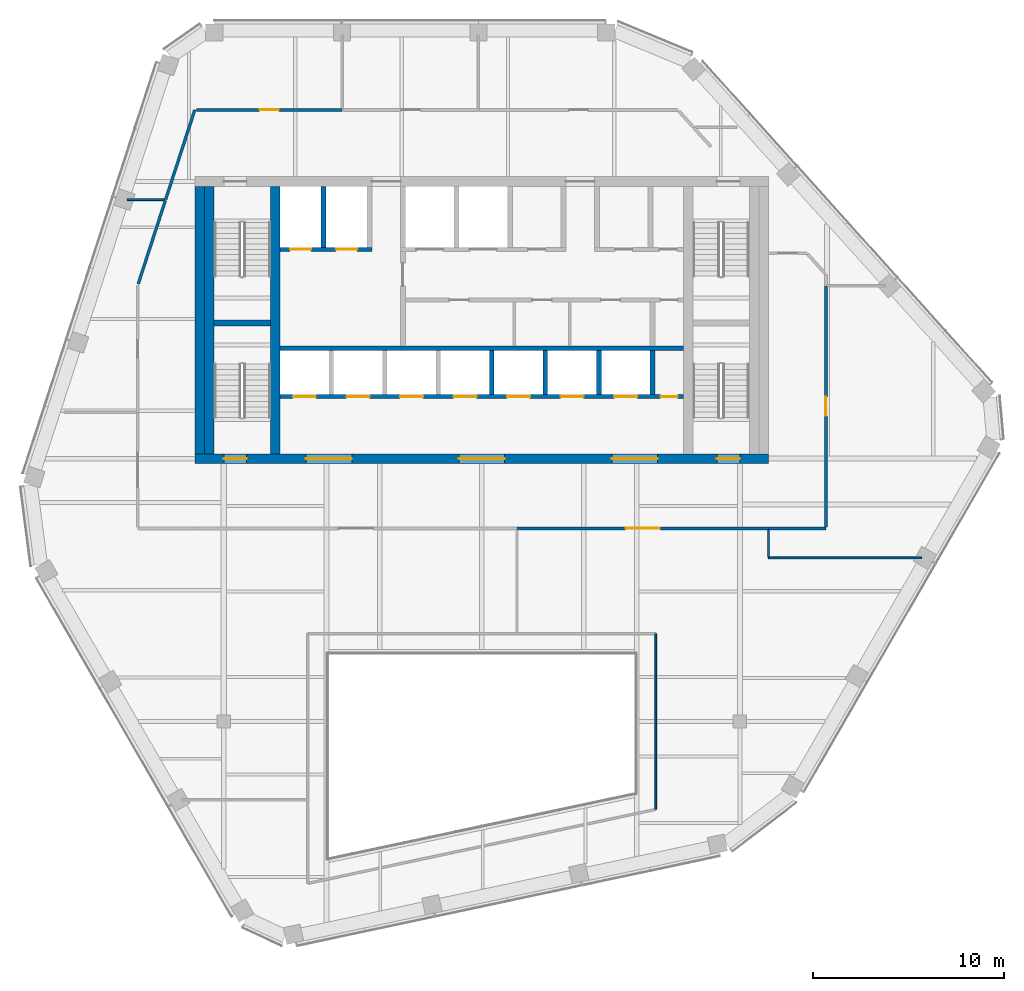
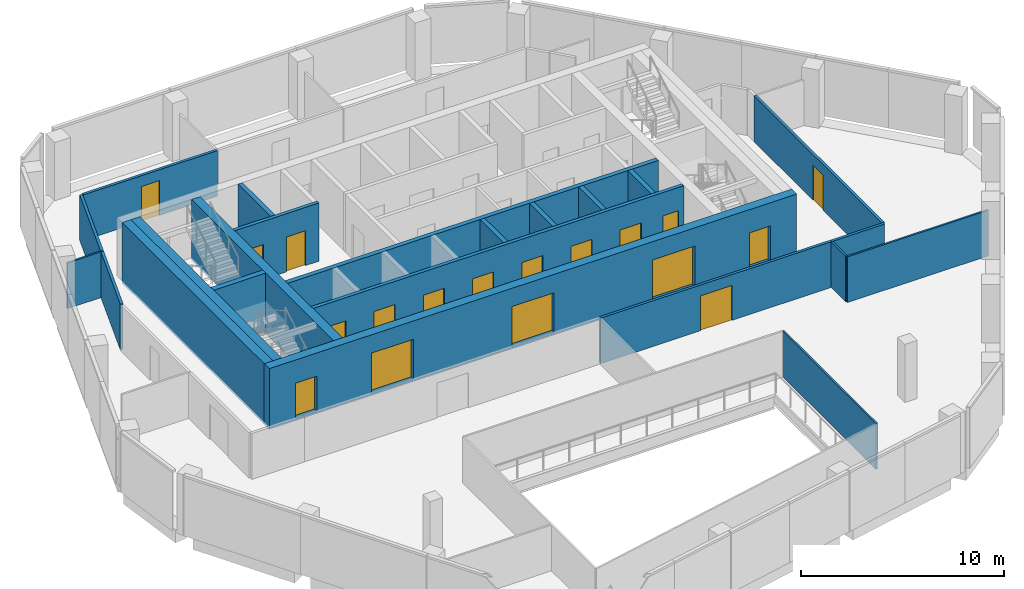
# One storey, part 8 of 15: 23 walls, 18 doors, 18 openings.
"""IFC4 building model written with IfcOpenShell, lengths in metres."""

import ifcopenshell
import ifcopenshell.guid

model = None  # the IFC model being written
_history = None  # IfcOwnerHistory: only IFC2X3 demands one
_inside = {}  # id of a spatial element -> (the spatial element, [elements in it])
_under = {}  # id of a project, library or spatial element -> (it, [spatial elements below it])
_declared = {}  # id of a project -> (the project, [libraries it declares])
_typed = {}  # id of a type object -> (the type object, [elements of that type])
_made_of = {}  # id of a material, layer set ... -> (it, [elements and type objects made of it])


def new_model(schema):
    """Start an empty IFC model of exactly this schema.

    Asked for "IFC4X3", IfcOpenShell would pick the latest addendum, in which some entities
    have other attributes; the version numbers below select the first issue.
    IFC2X3 requires an IfcOwnerHistory on every rooted entity: one is made here for all.
    """
    global model, _history
    if schema == "IFC4X3":
        model = ifcopenshell.file(schema_version=(4, 3, 0, 0))
    else:
        model = ifcopenshell.file(schema=schema)
    _inside.clear()
    _under.clear()
    _declared.clear()
    _typed.clear()
    _made_of.clear()
    _history = None
    if model.schema == "IFC2X3":
        org = make("IfcOrganization", Name="unknown")
        user = make(
            "IfcPersonAndOrganization",
            ThePerson=make("IfcPerson", FamilyName="unknown"),
            TheOrganization=org,
        )
        app = make(
            "IfcApplication",
            ApplicationDeveloper=org,
            Version="unknown",
            ApplicationFullName="unknown",
            ApplicationIdentifier="unknown",
        )
        _history = make(
            "IfcOwnerHistory",
            OwningUser=user,
            OwningApplication=app,
            ChangeAction="ADDED",
            CreationDate=0,
        )
    return model


def make(cls, **values):
    """One entity of the class cls with the attributes given. An attribute that is None is left unset."""
    return model.create_entity(
        cls, **{name: value for name, value in values.items() if value is not None}
    )


def rooted(cls, **values):
    """An entity with a GlobalId (a new one), such as an element, a storey or a relation."""
    return make(cls, GlobalId=ifcopenshell.guid.new(), OwnerHistory=_history, **values)


def si_unit(unit_type, name, prefix=None):
    """IfcSIUnit, for example si_unit("LENGTHUNIT", "METRE", prefix="MILLI")."""
    return make("IfcSIUnit", UnitType=unit_type, Prefix=prefix, Name=name)


def assignment(units):
    """IfcUnitAssignment: the units of a project."""
    return None if units is None else make("IfcUnitAssignment", Units=units)


def point(xyz):
    """IfcCartesianPoint."""
    return None if xyz is None else make("IfcCartesianPoint", Coordinates=xyz)


def direction(xyz):
    """IfcDirection."""
    return None if xyz is None else make("IfcDirection", DirectionRatios=xyz)


def frame(location, z_axis=None, x_axis=None):
    """IfcAxis2Placement3D, a coordinate frame: its origin and axes. An axis left out is left unset."""
    return make(
        "IfcAxis2Placement3D",
        Location=point(location),
        Axis=direction(z_axis),
        RefDirection=direction(x_axis),
    )


def frame_2d(location, x_axis=None):
    """IfcAxis2Placement2D, a coordinate frame in the plane: its origin and x axis."""
    return make(
        "IfcAxis2Placement2D", Location=point(location), RefDirection=direction(x_axis)
    )


def origin():
    """The frame at (0, 0, 0) with its axes left unset."""
    return frame((0.0, 0.0, 0.0))


def place(relative_to, where):
    """IfcLocalPlacement: puts the frame where relative to a parent placement (None: the world)."""
    return make(
        "IfcLocalPlacement", PlacementRelTo=relative_to, RelativePlacement=where
    )


def context(
    kind, dimensions, precision=None, world=None, true_north=None, identifier=None
):
    """IfcGeometricRepresentationContext, for example the 3D "Model" context."""
    return make(
        "IfcGeometricRepresentationContext",
        ContextIdentifier=identifier,
        ContextType=kind,
        CoordinateSpaceDimension=dimensions,
        Precision=precision,
        WorldCoordinateSystem=world,
        TrueNorth=true_north,
    )


def subcontext(parent, identifier, kind, view, scale=None):
    """IfcGeometricRepresentationSubContext, for example "Body" below "Model"."""
    return make(
        "IfcGeometricRepresentationSubContext",
        ContextIdentifier=identifier,
        ContextType=kind,
        ParentContext=parent,
        TargetScale=scale,
        TargetView=view,
    )


def project(units=None, contexts=None):
    """IfcProject with its units and contexts."""
    return rooted(
        "IfcProject",
        Name="project",
        RepresentationContexts=contexts,
        UnitsInContext=assignment(units),
    )


def spatial(cls, under=None, at=None, **own):
    """A site, building, storey or space (cls), placed at a placement, below another one or the project."""
    s = rooted(cls, ObjectPlacement=at, **own)
    if under is not None:
        _under.setdefault(under.id(), (under, []))[1].append(s)
    return s


def profile(cls, at=None, kind="AREA", **sizes):
    """A parametric profile (cls). Its sizes go by their IFC names, for example OverallWidth=200.0."""
    return make(cls, ProfileType=kind, Position=at, **sizes)


def rectangle(**sizes):
    """IfcRectangleProfileDef."""
    return profile("IfcRectangleProfileDef", **sizes)


def extrude(swept, where, along, depth):
    """IfcExtrudedAreaSolid: the profile swept, set in the frame where, extruded along a direction by depth."""
    return make(
        "IfcExtrudedAreaSolid",
        SweptArea=swept,
        Position=where,
        ExtrudedDirection=direction(along),
        Depth=depth,
    )


def shape(context_of_items, identifier, shape_type, items):
    """IfcShapeRepresentation: the items that make up one representation, for example the "Body"."""
    return make(
        "IfcShapeRepresentation",
        ContextOfItems=context_of_items,
        RepresentationIdentifier=identifier,
        RepresentationType=shape_type,
        Items=items,
    )


def material(Name=None, Category=None):
    """IfcMaterial."""
    return make("IfcMaterial", Name=Name, Category=Category)


def layer(
    of_material, thickness, ventilated=None, Name=None, Category=None, Priority=None
):
    """IfcMaterialLayer: one layer of a wall or slab, of a material (None: an air gap)."""
    return make(
        "IfcMaterialLayer",
        Material=of_material,
        LayerThickness=thickness,
        IsVentilated=ventilated,
        Name=Name,
        Category=Category,
        Priority=Priority,
    )


def layer_set(layers, Name=None):
    """IfcMaterialLayerSet."""
    return make("IfcMaterialLayerSet", MaterialLayers=layers, LayerSetName=Name)


def made_of(thing, what):
    """Note that an element or type object is made of a material, layer set ...; save() writes the relation."""
    if what is not None:
        _made_of.setdefault(what.id(), (what, []))[1].append(thing)
    return thing


def type_object(cls, material=None, **own):
    """A type object (cls), such as IfcWallType, which elements share."""
    return made_of(rooted(cls, **own), material)


def element(
    cls,
    number,
    at=None,
    inside=None,
    cuts=None,
    type_object=None,
    material=None,
    context=None,
    identifier="Body",
    shape_type=None,
    held_by="IfcProductDefinitionShape",
    body=None,
    shapes=None,
    **own,
):
    """One element of the class cls, such as IfcWall. Its Tag is "e" and its number.

    at: its placement. inside: the storey or other place that contains it. cuts: it is an
    opening in that element (IfcRelVoidsElement). A single representation is given by context,
    identifier, shape_type and body (its items); several are given by shapes. held_by: the class
    of the entity that holds the representations. save() writes the other relations.
    """
    e = rooted(cls, Tag="e%d" % number, ObjectPlacement=at, **own)
    if body is not None:
        shapes = [shape(context, identifier, shape_type, body)]
    if shapes is not None:
        e.Representation = make(held_by, Representations=shapes)
    if inside is not None:
        _inside.setdefault(inside.id(), (inside, []))[1].append(e)
    if cuts is not None:
        rooted(
            "IfcRelVoidsElement", RelatingBuildingElement=cuts, RelatedOpeningElement=e
        )
    if type_object is not None:
        _typed.setdefault(type_object.id(), (type_object, []))[1].append(e)
    return made_of(e, material)


def fill(opening, filler):
    """IfcRelFillsElement: the door or window that sits in an opening."""
    return rooted(
        "IfcRelFillsElement",
        RelatingOpeningElement=opening,
        RelatedBuildingElement=filler,
    )


def aggregate(whole, parts):
    """IfcRelAggregates: a whole, such as a stair, and the parts it consists of."""
    return rooted("IfcRelAggregates", RelatingObject=whole, RelatedObjects=parts)


def save(model, path):
    """Write the relations noted so far, then the file.

    IfcRelAggregates (storeys below a building ...), IfcRelContainedInSpatialStructure (elements
    in a storey), IfcRelDefinesByType, IfcRelAssociatesMaterial and IfcRelDeclares: one each for
    every whole, place, type object, material and project.
    """
    for whole, parts in _under.values():
        aggregate(whole, parts)
    for where, things in _inside.values():
        rooted(
            "IfcRelContainedInSpatialStructure",
            RelatedElements=things,
            RelatingStructure=where,
        )
    for kind, things in _typed.values():
        rooted("IfcRelDefinesByType", RelatedObjects=things, RelatingType=kind)
    for what, things in _made_of.values():
        rooted("IfcRelAssociatesMaterial", RelatedObjects=things, RelatingMaterial=what)
    for by, libraries in _declared.values():
        rooted("IfcRelDeclares", RelatingContext=by, RelatedDefinitions=libraries)
    model.write(path)


model = new_model("IFC4")

# Units and contexts
model_context = context("Model", 3, precision=1e-05, world=origin(), true_north=direction((0.0, 1.0)))
body_context = subcontext(model_context, "Body", "Model", "MODEL_VIEW")
ifc_project = project(units=[si_unit("LENGTHUNIT", "METRE"), si_unit("AREAUNIT", "SQUARE_METRE"), si_unit("VOLUMEUNIT", "CUBIC_METRE"), si_unit("PLANEANGLEUNIT", "RADIAN"), si_unit("MASSUNIT", "GRAM", prefix="KILO")], contexts=[model_context])

# Site, building, storey
site_placement = place(None, origin())
site = spatial("IfcSite", under=ifc_project, at=site_placement, CompositionType="ELEMENT")
building_placement = place(site_placement, origin())
building = spatial("IfcBuilding", under=site, at=building_placement, Name="Isthmus Gate Tower", CompositionType="ELEMENT")
storey_placement = place(building_placement, frame((0.0, 0.0, 286.5)))
storey = spatial("IfcBuildingStorey", under=building, at=storey_placement, Name="L73", CompositionType="ELEMENT", Elevation=286.5)

# Wall
ifc_material_1 = material(Name="Fire-rated laminated glass in steel frame", Category="steel")
ifc_layer_1 = layer(ifc_material_1, 0.10009765625)
ifc_layer_set_1 = layer_set([ifc_layer_1], Name="ATRIUM SCREEN GLAZED WALL 100 120 MIN")
wall_type_1 = type_object("IfcWallType", Name="ATRIUM SCREEN GLAZED WALL 100 120 MIN", PredefinedType="PARTITIONING", material=ifc_layer_set_1)
wall_1_placement = place(storey_placement, frame((9.10009765625, -8.89990234375, 0.0), z_axis=(0.0, 0.0, 1.0), x_axis=(0.0, -1.0, 0.0)))
element("IfcWall", 1, at=wall_1_placement, inside=storey, type_object=wall_type_1, Name="L73 atrium screen", PredefinedType="PARTITIONING", context=body_context, shape_type="SweptSolid", body=[
    extrude(rectangle(XDim=9.200927734375, YDim=0.10009765625, at=frame_2d((4.6005859375, 0.0))), origin(), (0.0, 0.0, 1.0), 2.750732421875),
])

# Wall, opening, door
ifc_material_2 = material(Name="Gypsum board on steel studs, fire-rated", Category="steel")
ifc_layer_2 = layer(ifc_material_2, 0.14990234375)
ifc_layer_set_2 = layer_set([ifc_layer_2], Name="CORRIDOR WALL 150 60 MIN")
wall_type_2 = type_object("IfcWallType", Name="CORRIDOR WALL 150 60 MIN", PredefinedType="PARTITIONING", material=ifc_layer_set_2)
wall_2_placement = place(storey_placement, frame((15.0, -3.39990234375, 0.0), z_axis=(0.0, 0.0, 1.0), x_axis=(-1.0, 0.0, 0.0)))
wall_2 = element("IfcWall", 2, at=wall_2_placement, inside=storey, type_object=wall_type_2, Name="L73 Corridor Wall 150 60 Min", PredefinedType="PARTITIONING", context=body_context, shape_type="SweptSolid", body=[
    extrude(rectangle(XDim=13.156005859375, YDim=0.14990234375, at=frame_2d((6.578125, 0.0))), origin(), (0.0, 0.0, 1.0), 2.750732421875),
])
opening_1_placement = place(wall_2_placement, frame((5.677978515625, 0.0, 0.0)))
opening_1 = element("IfcOpeningElement", 3, at=opening_1_placement, cuts=wall_2, Name="Opening DT-T6C-09", PredefinedType="OPENING", context=body_context, shape_type="SweptSolid", body=[
    extrude(rectangle(XDim=1.800048828125, YDim=2.10009765625, at=frame_2d((0.89990234375, 1.050048828125))), frame((0.0, 0.0849609375, 0.0), z_axis=(0.0, -1.0, 0.0), x_axis=(1.0, 0.0, 0.0)), (0.0, 0.0, 1.0), 0.169921875),
])
ifc_material_3 = material(Name="Solid core timber door leaf, fire-rated", Category="wood")
door_type_1 = type_object("IfcDoorType", Name="FIRE DOOR ROOM 1800 X 2100 60 MIN", OperationType="DOUBLE_DOOR_DOUBLE_SWING", PredefinedType="DOOR", material=ifc_material_3)
door_1_placement = place(opening_1_placement, origin())
door_1 = element("IfcDoor", 4, at=door_1_placement, inside=storey, type_object=door_type_1, Name="L73 room door", OperationType="DOUBLE_DOOR_DOUBLE_SWING", OverallHeight=2.10009765625, OverallWidth=1.800048828125, PredefinedType="DOOR", context=body_context, shape_type="SweptSolid", body=[
    extrude(rectangle(XDim=1.800048828125, YDim=2.10009765625, at=frame_2d((0.89990234375, 1.050048828125))), frame((0.0, 0.02490234375, 0.0), z_axis=(0.0, -1.0, 0.0), x_axis=(1.0, 0.0, 0.0)), (0.0, 0.0, 1.0), 0.050048828125),
])
fill(opening_1, door_1)

# Wall
wall_3_placement = place(storey_placement, frame((18.0, -3.39990234375, 0.0), z_axis=(0.0, 0.0, 1.0), x_axis=(-1.0, 0.0, 0.0)))
element("IfcWall", 5, at=wall_3_placement, inside=storey, type_object=wall_type_2, Name="L73 Corridor Wall 150 60 Min", PredefinedType="PARTITIONING", context=body_context, shape_type="SweptSolid", body=[
    extrude(rectangle(XDim=3.0, YDim=0.14990234375, at=frame_2d((1.5, 0.0))), origin(), (0.0, 0.0, 1.0), 2.750732421875),
])

# Wall, opening, door
wall_4_placement = place(storey_placement, frame((18.0, 9.2900390625, 0.0), z_axis=(0.0, 0.0, 1.0), x_axis=(0.0, -1.0, 0.0)))
wall_4 = element("IfcWall", 6, at=wall_4_placement, inside=storey, type_object=wall_type_2, Name="L73 Corridor Wall 150 60 Min", PredefinedType="PARTITIONING", context=body_context, shape_type="SweptSolid", body=[
    extrude(rectangle(XDim=12.614990234375, YDim=0.14990234375, at=frame_2d((6.3076171875, 0.0))), origin(), (0.0, 0.0, 1.0), 2.750732421875),
])
opening_2_placement = place(wall_4_placement, frame((5.8076171875, 0.0, 0.0)))
opening_2 = element("IfcOpeningElement", 7, at=opening_2_placement, cuts=wall_4, Name="Opening DT-T6C-06", PredefinedType="OPENING", context=body_context, shape_type="SweptSolid", body=[
    extrude(rectangle(XDim=1.0, YDim=2.10009765625, at=frame_2d((0.5, 1.050048828125))), frame((0.0, 0.0849609375, 0.0), z_axis=(0.0, -1.0, 0.0), x_axis=(1.0, 0.0, 0.0)), (0.0, 0.0, 1.0), 0.169921875),
])
ifc_material_4 = material(Name="Solid core timber door leaf, fire-rated", Category="wood")
door_type_2 = type_object("IfcDoorType", Name="FIRE DOOR ROOM 1000 X 2100 60 MIN", OperationType="SINGLE_SWING_LEFT", PredefinedType="DOOR", material=ifc_material_4)
door_2_placement = place(opening_2_placement, origin())
door_2 = element("IfcDoor", 8, at=door_2_placement, inside=storey, type_object=door_type_2, Name="L73 room door", OperationType="SINGLE_SWING_RIGHT", OverallHeight=2.10009765625, OverallWidth=1.0, PredefinedType="DOOR", context=body_context, shape_type="SweptSolid", body=[
    extrude(rectangle(XDim=1.0, YDim=2.10009765625, at=frame_2d((0.5, 1.050048828125))), frame((0.0, 0.02490234375, 0.0), z_axis=(0.0, -1.0, 0.0), x_axis=(1.0, 0.0, 0.0)), (0.0, 0.0, 1.0), 0.050048828125),
])
fill(opening_2, door_2)

# Wall
wall_5_placement = place(storey_placement, frame((-16.541015625, 13.803955078125, 0.0), z_axis=(0.0, 0.0, 1.0), x_axis=(0.309069302416, 0.951039518792, 0.0)))
element("IfcWall", 9, at=wall_5_placement, inside=storey, type_object=wall_type_2, Name="L73 Corridor Wall 150 60 Min", PredefinedType="PARTITIONING", context=body_context, shape_type="SweptSolid", body=[
    extrude(rectangle(XDim=4.937744140625, YDim=0.14990234375, at=frame_2d((2.46875, 0.0))), origin(), (0.0, 0.0, 1.0), 2.750732421875),
])

# Wall, opening, door
wall_6_placement = place(storey_placement, frame((-14.925048828125, 18.5, 0.0), z_axis=(0.0, 0.0, 1.0), x_axis=(1.0, 0.0, 0.0)))
wall_6 = element("IfcWall", 10, at=wall_6_placement, inside=storey, type_object=wall_type_2, Name="L73 Corridor Wall 150 60 Min", PredefinedType="PARTITIONING", context=body_context, shape_type="SweptSolid", body=[
    extrude(rectangle(XDim=7.614990234375, YDim=0.14990234375, at=frame_2d((3.8076171875, 0.0))), origin(), (0.0, 0.0, 1.0), 2.750732421875),
])
opening_3_placement = place(wall_6_placement, frame((3.3076171875, 0.0, 0.0)))
opening_3 = element("IfcOpeningElement", 11, at=opening_3_placement, cuts=wall_6, Name="Opening DT-T6C-01", PredefinedType="OPENING", context=body_context, shape_type="SweptSolid", body=[
    extrude(rectangle(XDim=1.0, YDim=2.10009765625, at=frame_2d((0.5, 1.050048828125))), frame((0.0, 0.0849609375, 0.0), z_axis=(0.0, -1.0, 0.0), x_axis=(1.0, 0.0, 0.0)), (0.0, 0.0, 1.0), 0.169921875),
])
door_3_placement = place(opening_3_placement, origin())
door_3 = element("IfcDoor", 12, at=door_3_placement, inside=storey, type_object=door_type_2, Name="L73 room door", OperationType="SINGLE_SWING_RIGHT", OverallHeight=2.10009765625, OverallWidth=1.0, PredefinedType="DOOR", context=body_context, shape_type="SweptSolid", body=[
    extrude(rectangle(XDim=1.0, YDim=2.10009765625, at=frame_2d((0.5, 1.050048828125))), frame((0.0, 0.02490234375, 0.0), z_axis=(0.0, -1.0, 0.0), x_axis=(1.0, 0.0, 0.0)), (0.0, 0.0, 1.0), 0.050048828125),
])
fill(opening_3, door_3)

# Walls
wall_7_placement = place(storey_placement, frame((-17.976806640625, 9.38623046875, 0.0), z_axis=(0.0, 0.0, 1.0), x_axis=(0.309110099354, 0.951026259615, 0.0)))
element("IfcWall", 13, at=wall_7_placement, inside=storey, type_object=wall_type_2, Name="L73 Corridor Wall 150 60 Min", PredefinedType="PARTITIONING", context=body_context, shape_type="SweptSolid", body=[
    extrude(rectangle(XDim=4.59521484375, YDim=0.14990234375, at=frame_2d((2.297607421875, 0.0))), origin(), (0.0, 0.0, 1.0), 2.750732421875),
])
ifc_material_5 = material(Name="Concrete f'c 50 MPa", Category="concrete")
ifc_layer_3 = layer(ifc_material_5, 0.5)
ifc_layer_set_3 = layer_set([ifc_layer_3], Name="RC CORE SPINE WALL 500 F'C 50")
wall_type_3 = type_object("IfcWallType", Name="RC CORE SPINE WALL 500 F'C 50", PredefinedType="SOLIDWALL", material=ifc_layer_set_3)
wall_8_placement = place(storey_placement, frame((-10.800048828125, 0.5, -0.14990234375), z_axis=(0.0, 0.0, 1.0), x_axis=(0.0, 1.0, 0.0)))
element("IfcWall", 14, at=wall_8_placement, inside=storey, type_object=wall_type_3, Name="str-corewall-L73-SPW", PredefinedType="SOLIDWALL", context=body_context, shape_type="SweptSolid", body=[
    extrude(rectangle(XDim=14.0, YDim=0.5, at=frame_2d((7.0, 0.0))), origin(), (0.0, 0.0, 1.0), 3.64990234375),
])

# Wall, openings, doors
ifc_material_6 = material(Name="Concrete f'c 50 MPa", Category="concrete")
ifc_layer_4 = layer(ifc_material_6, 0.5)
ifc_layer_set_4 = layer_set([ifc_layer_4], Name="RC CORE WALL 500 F'C 50")
wall_type_4 = type_object("IfcWallType", Name="RC CORE WALL 500 F'C 50", PredefinedType="SOLIDWALL", material=ifc_layer_set_4)
wall_9_placement = place(storey_placement, frame((-15.0, 0.25, -0.14990234375), z_axis=(0.0, 0.0, 1.0), x_axis=(1.0, 0.0, 0.0)))
wall_9 = element("IfcWall", 15, at=wall_9_placement, inside=storey, type_object=wall_type_4, Name="str-corewall-L73-S", PredefinedType="SOLIDWALL", context=body_context, shape_type="SweptSolid", body=[
    extrude(rectangle(XDim=30.0, YDim=0.5, at=frame_2d((15.0, 0.0))), origin(), (0.0, 0.0, 1.0), 3.64990234375),
])
opening_4_placement = place(wall_9_placement, frame((5.800048828125, 0.0, 0.14990234375)))
opening_4 = element("IfcOpeningElement", 16, at=opening_4_placement, cuts=wall_9, Name="Opening DC-A19-10", PredefinedType="OPENING", context=body_context, shape_type="SweptSolid", body=[
    extrude(rectangle(XDim=2.39990234375, YDim=2.39990234375, at=frame_2d((1.199951171875, 1.199951171875))), frame((0.0, 0.260009765625, 0.0), z_axis=(0.0, -1.0, 0.0), x_axis=(1.0, 0.0, 0.0)), (0.0, 0.0, 1.0), 0.52001953125),
])
opening_5_placement = place(wall_9_placement, frame((13.800048828125, 0.0, 0.14990234375)))
opening_5 = element("IfcOpeningElement", 17, at=opening_5_placement, cuts=wall_9, Name="Opening DC-A19-11", PredefinedType="OPENING", context=body_context, shape_type="SweptSolid", body=[
    extrude(rectangle(XDim=2.39990234375, YDim=2.39990234375, at=frame_2d((1.199951171875, 1.199951171875))), frame((0.0, 0.260009765625, 0.0), z_axis=(0.0, -1.0, 0.0), x_axis=(1.0, 0.0, 0.0)), (0.0, 0.0, 1.0), 0.52001953125),
])
opening_6_placement = place(wall_9_placement, frame((21.800048828125, 0.0, 0.14990234375)))
opening_6 = element("IfcOpeningElement", 18, at=opening_6_placement, cuts=wall_9, Name="Opening DC-A19-12", PredefinedType="OPENING", context=body_context, shape_type="SweptSolid", body=[
    extrude(rectangle(XDim=2.39990234375, YDim=2.39990234375, at=frame_2d((1.199951171875, 1.199951171875))), frame((0.0, 0.260009765625, 0.0), z_axis=(0.0, -1.0, 0.0), x_axis=(1.0, 0.0, 0.0)), (0.0, 0.0, 1.0), 0.52001953125),
])
opening_7_placement = place(wall_9_placement, frame((1.5, 0.0, 0.14990234375)))
opening_7 = element("IfcOpeningElement", 19, at=opening_7_placement, cuts=wall_9, Name="Opening DC-A19-17", PredefinedType="OPENING", context=body_context, shape_type="SweptSolid", body=[
    extrude(rectangle(XDim=1.199951171875, YDim=2.10009765625, at=frame_2d((0.60009765625, 1.050048828125))), frame((0.0, 0.260009765625, 0.0), z_axis=(0.0, -1.0, 0.0), x_axis=(1.0, 0.0, 0.0)), (0.0, 0.0, 1.0), 0.52001953125),
])
opening_8_placement = place(wall_9_placement, frame((27.300048828125, 0.0, 0.14990234375)))
opening_8 = element("IfcOpeningElement", 20, at=opening_8_placement, cuts=wall_9, Name="Opening DC-A19-18", PredefinedType="OPENING", context=body_context, shape_type="SweptSolid", body=[
    extrude(rectangle(XDim=1.199951171875, YDim=2.10009765625, at=frame_2d((0.60009765625, 1.050048828125))), frame((0.0, 0.260009765625, 0.0), z_axis=(0.0, -1.0, 0.0), x_axis=(1.0, 0.0, 0.0)), (0.0, 0.0, 1.0), 0.52001953125),
])
ifc_material_7 = material(Name="Laminated safety glass in steel frame, fire-rated", Category="steel")
door_type_3 = type_object("IfcDoorType", Name="LOBBY ENTRANCE FIRE DOOR 2400 X 2400 60 MIN", OperationType="DOUBLE_DOOR_DOUBLE_SWING", PredefinedType="DOOR", material=ifc_material_7)
door_4_placement = place(opening_4_placement, origin())
door_4 = element("IfcDoor", 21, at=door_4_placement, inside=storey, type_object=door_type_3, Name="Lobby Entrance PS-W", OperationType="DOUBLE_DOOR_DOUBLE_SWING", OverallHeight=2.39990234375, OverallWidth=2.39990234375, PredefinedType="DOOR", context=body_context, shape_type="SweptSolid", body=[
    extrude(rectangle(XDim=2.39990234375, YDim=2.39990234375, at=frame_2d((1.199951171875, 1.199951171875))), frame((0.0, 0.02490234375, 0.0), z_axis=(0.0, -1.0, 0.0), x_axis=(1.0, 0.0, 0.0)), (0.0, 0.0, 1.0), 0.050048828125),
])
fill(opening_4, door_4)
door_5_placement = place(opening_5_placement, origin())
door_5 = element("IfcDoor", 22, at=door_5_placement, inside=storey, type_object=door_type_3, Name="Lobby Entrance PS-C", OperationType="DOUBLE_DOOR_DOUBLE_SWING", OverallHeight=2.39990234375, OverallWidth=2.39990234375, PredefinedType="DOOR", context=body_context, shape_type="SweptSolid", body=[
    extrude(rectangle(XDim=2.39990234375, YDim=2.39990234375, at=frame_2d((1.199951171875, 1.199951171875))), frame((0.0, 0.02490234375, 0.0), z_axis=(0.0, -1.0, 0.0), x_axis=(1.0, 0.0, 0.0)), (0.0, 0.0, 1.0), 0.050048828125),
])
fill(opening_5, door_5)
door_6_placement = place(opening_6_placement, origin())
door_6 = element("IfcDoor", 23, at=door_6_placement, inside=storey, type_object=door_type_3, Name="Lobby Entrance PS-E", OperationType="DOUBLE_DOOR_DOUBLE_SWING", OverallHeight=2.39990234375, OverallWidth=2.39990234375, PredefinedType="DOOR", context=body_context, shape_type="SweptSolid", body=[
    extrude(rectangle(XDim=2.39990234375, YDim=2.39990234375, at=frame_2d((1.199951171875, 1.199951171875))), frame((0.0, 0.02490234375, 0.0), z_axis=(0.0, -1.0, 0.0), x_axis=(1.0, 0.0, 0.0)), (0.0, 0.0, 1.0), 0.050048828125),
])
fill(opening_6, door_6)
ifc_material_8 = material(Name="Steel door leaf, fire-rated", Category="steel")
door_type_4 = type_object("IfcDoorType", Name="STAIR FIRE DOOR 1200 X 2100 90 MIN", OperationType="SINGLE_SWING_LEFT", PredefinedType="DOOR", material=ifc_material_8)
door_7_placement = place(opening_7_placement, origin())
door_7 = element("IfcDoor", 24, at=door_7_placement, inside=storey, type_object=door_type_4, Name="Exit Stair 7 Door", OperationType="SINGLE_SWING_LEFT", OverallHeight=2.10009765625, OverallWidth=1.199951171875, PredefinedType="DOOR", context=body_context, shape_type="SweptSolid", body=[
    extrude(rectangle(XDim=1.199951171875, YDim=2.10009765625, at=frame_2d((0.60009765625, 1.050048828125))), frame((0.0, 0.02490234375, 0.0), z_axis=(0.0, -1.0, 0.0), x_axis=(1.0, 0.0, 0.0)), (0.0, 0.0, 1.0), 0.050048828125),
])
fill(opening_7, door_7)
door_8_placement = place(opening_8_placement, origin())
door_8 = element("IfcDoor", 25, at=door_8_placement, inside=storey, type_object=door_type_4, Name="Exit Stair 8 Door", OperationType="SINGLE_SWING_RIGHT", OverallHeight=2.10009765625, OverallWidth=1.199951171875, PredefinedType="DOOR", context=body_context, shape_type="SweptSolid", body=[
    extrude(rectangle(XDim=1.199951171875, YDim=2.10009765625, at=frame_2d((0.60009765625, 1.050048828125))), frame((0.0, 0.02490234375, 0.0), z_axis=(0.0, -1.0, 0.0), x_axis=(1.0, 0.0, 0.0)), (0.0, 0.0, 1.0), 0.050048828125),
])
fill(opening_8, door_8)

# Walls
wall_10_placement = place(storey_placement, frame((-14.75, 0.5, -0.14990234375), z_axis=(0.0, 0.0, 1.0), x_axis=(0.0, 1.0, 0.0)))
element("IfcWall", 26, at=wall_10_placement, inside=storey, type_object=wall_type_4, Name="str-corewall-L73-W", PredefinedType="SOLIDWALL", context=body_context, shape_type="SweptSolid", body=[
    extrude(rectangle(XDim=14.0, YDim=0.5, at=frame_2d((7.0, 0.0))), origin(), (0.0, 0.0, 1.0), 3.64990234375),
])
ifc_material_9 = material(Name="Gypsum board on steel studs, fire-rated", Category="steel")
ifc_layer_5 = layer(ifc_material_9, 0.10009765625)
ifc_layer_set_5 = layer_set([ifc_layer_5], Name="ROOM PARTITION 100 30 MIN")
wall_type_5 = type_object("IfcWallType", Name="ROOM PARTITION 100 30 MIN", PredefinedType="PARTITIONING", material=ifc_layer_set_5)
wall_11_placement = place(storey_placement, frame((-18.5390625, 13.803955078125, 0.0), z_axis=(0.0, 0.0, 1.0), x_axis=(1.0, 0.0, 0.0)))
element("IfcWall", 27, at=wall_11_placement, inside=storey, type_object=wall_type_5, Name="L73 Room Partition 100 30 Min", PredefinedType="PARTITIONING", context=body_context, shape_type="SweptSolid", body=[
    extrude(rectangle(XDim=1.923095703125, YDim=0.10009765625, at=frame_2d((0.96142578125, 0.0))), origin(), (0.0, 0.0, 1.0), 2.750732421875),
])
wall_12_placement = place(storey_placement, frame((15.0, -4.945068359375, 0.0), z_axis=(0.0, 0.0, 1.0), x_axis=(1.0, 0.0, 0.0)))
element("IfcWall", 28, at=wall_12_placement, inside=storey, type_object=wall_type_5, Name="L73 Room Partition 100 30 Min", PredefinedType="PARTITIONING", context=body_context, shape_type="SweptSolid", body=[
    extrude(rectangle(XDim=8.010009765625, YDim=0.10009765625, at=frame_2d((4.0048828125, 0.0))), origin(), (0.0, 0.0, 1.0), 2.750732421875),
])
wall_13_placement = place(storey_placement, frame((15.0, -4.89501953125, 0.0), z_axis=(0.0, 0.0, 1.0), x_axis=(0.0, 1.0, 0.0)))
element("IfcWall", 29, at=wall_13_placement, inside=storey, type_object=wall_type_5, Name="L73 Room Partition 100 30 Min", PredefinedType="PARTITIONING", context=body_context, shape_type="SweptSolid", body=[
    extrude(rectangle(XDim=1.419921875, YDim=0.10009765625, at=frame_2d((0.7099609375, 0.0))), origin(), (0.0, 0.0, 1.0), 2.750732421875),
])

# Wall, openings, doors
ifc_material_10 = material(Name="Fire-rated blockwork masonry, 15 MPa", Category="masonry")
ifc_layer_6 = layer(ifc_material_10, 0.199951171875)
ifc_layer_set_6 = layer_set([ifc_layer_6], Name="SHAFT FRONT WALL 200 120 MIN")
wall_type_6 = type_object("IfcWallType", Name="SHAFT FRONT WALL 200 120 MIN", PredefinedType="PARTITIONING", material=ifc_layer_set_6)
wall_14_placement = place(storey_placement, frame((-10.550048828125, 3.5, 0.0), z_axis=(0.0, 0.0, 1.0), x_axis=(1.0, 0.0, 0.0)))
wall_14 = element("IfcWall", 30, at=wall_14_placement, inside=storey, type_object=wall_type_6, Name="L73 SHAFT FRONT WALL 200 120 MIN", PredefinedType="PARTITIONING", context=body_context, shape_type="SweptSolid", body=[
    extrude(rectangle(XDim=21.10009765625, YDim=0.199951171875, at=frame_2d((10.550048828125, 0.0))), origin(), (0.0, 0.0, 1.0), 3.5),
])
opening_9_placement = place(wall_14_placement, frame((0.675048828125, 0.0, 0.0)))
opening_9 = element("IfcOpeningElement", 31, at=opening_9_placement, cuts=wall_14, Name="Opening LD-LC1", PredefinedType="OPENING", context=body_context, shape_type="SweptSolid", body=[
    extrude(rectangle(XDim=1.199951171875, YDim=2.10009765625, at=frame_2d((0.60009765625, 1.050048828125))), frame((0.0, 0.10986328125, 0.0), z_axis=(0.0, -1.0, 0.0), x_axis=(1.0, 0.0, 0.0)), (0.0, 0.0, 1.0), 0.219970703125),
])
opening_10_placement = place(wall_14_placement, frame((3.47509765625, 0.0, 0.0)))
opening_10 = element("IfcOpeningElement", 32, at=opening_10_placement, cuts=wall_14, Name="Opening LD-LC2", PredefinedType="OPENING", context=body_context, shape_type="SweptSolid", body=[
    extrude(rectangle(XDim=1.199951171875, YDim=2.10009765625, at=frame_2d((0.60009765625, 1.050048828125))), frame((0.0, 0.10986328125, 0.0), z_axis=(0.0, -1.0, 0.0), x_axis=(1.0, 0.0, 0.0)), (0.0, 0.0, 1.0), 0.219970703125),
])
opening_11_placement = place(wall_14_placement, frame((6.27490234375, 0.0, 0.0)))
opening_11 = element("IfcOpeningElement", 33, at=opening_11_placement, cuts=wall_14, Name="Opening LD-LC3", PredefinedType="OPENING", context=body_context, shape_type="SweptSolid", body=[
    extrude(rectangle(XDim=1.199951171875, YDim=2.10009765625, at=frame_2d((0.60009765625, 1.050048828125))), frame((0.0, 0.10986328125, 0.0), z_axis=(0.0, -1.0, 0.0), x_axis=(1.0, 0.0, 0.0)), (0.0, 0.0, 1.0), 0.219970703125),
])
opening_12_placement = place(wall_14_placement, frame((9.074951171875, 0.0, 0.0)))
opening_12 = element("IfcOpeningElement", 34, at=opening_12_placement, cuts=wall_14, Name="Opening LD-LC4", PredefinedType="OPENING", context=body_context, shape_type="SweptSolid", body=[
    extrude(rectangle(XDim=1.199951171875, YDim=2.10009765625, at=frame_2d((0.60009765625, 1.050048828125))), frame((0.0, 0.10986328125, 0.0), z_axis=(0.0, -1.0, 0.0), x_axis=(1.0, 0.0, 0.0)), (0.0, 0.0, 1.0), 0.219970703125),
])
opening_13_placement = place(wall_14_placement, frame((11.875, 0.0, 0.0)))
opening_13 = element("IfcOpeningElement", 35, at=opening_13_placement, cuts=wall_14, Name="Opening LD-LC5", PredefinedType="OPENING", context=body_context, shape_type="SweptSolid", body=[
    extrude(rectangle(XDim=1.199951171875, YDim=2.10009765625, at=frame_2d((0.60009765625, 1.050048828125))), frame((0.0, 0.10986328125, 0.0), z_axis=(0.0, -1.0, 0.0), x_axis=(1.0, 0.0, 0.0)), (0.0, 0.0, 1.0), 0.219970703125),
])
opening_14_placement = place(wall_14_placement, frame((14.675048828125, 0.0, 0.0)))
opening_14 = element("IfcOpeningElement", 36, at=opening_14_placement, cuts=wall_14, Name="Opening LD-LC6", PredefinedType="OPENING", context=body_context, shape_type="SweptSolid", body=[
    extrude(rectangle(XDim=1.199951171875, YDim=2.10009765625, at=frame_2d((0.60009765625, 1.050048828125))), frame((0.0, 0.10986328125, 0.0), z_axis=(0.0, -1.0, 0.0), x_axis=(1.0, 0.0, 0.0)), (0.0, 0.0, 1.0), 0.219970703125),
])
opening_15_placement = place(wall_14_placement, frame((17.47509765625, 0.0, 0.0)))
opening_15 = element("IfcOpeningElement", 37, at=opening_15_placement, cuts=wall_14, Name="Opening LD-LC7", PredefinedType="OPENING", context=body_context, shape_type="SweptSolid", body=[
    extrude(rectangle(XDim=1.199951171875, YDim=2.10009765625, at=frame_2d((0.60009765625, 1.050048828125))), frame((0.0, 0.10986328125, 0.0), z_axis=(0.0, -1.0, 0.0), x_axis=(1.0, 0.0, 0.0)), (0.0, 0.0, 1.0), 0.219970703125),
])
opening_16_placement = place(wall_14_placement, frame((19.89990234375, 0.0, 0.0)))
opening_16 = element("IfcOpeningElement", 38, at=opening_16_placement, cuts=wall_14, Name="Opening DC-A19-02", PredefinedType="OPENING", context=body_context, shape_type="SweptSolid", body=[
    extrude(rectangle(XDim=0.89990234375, YDim=2.10009765625, at=frame_2d((0.449951171875, 1.050048828125))), frame((0.0, 0.10986328125, 0.0), z_axis=(0.0, -1.0, 0.0), x_axis=(1.0, 0.0, 0.0)), (0.0, 0.0, 1.0), 0.219970703125),
])
ifc_material_11 = material(Name="Stainless steel sliding leaf", Category="steel")
door_type_5 = type_object("IfcDoorType", Name="LIFT LANDING FIRE DOOR 1200 X 2100 90 MIN", OperationType="DOUBLE_DOOR_SLIDING", PredefinedType="DOOR", material=ifc_material_11)
door_9_placement = place(opening_9_placement, origin())
door_9 = element("IfcDoor", 39, at=door_9_placement, inside=storey, type_object=door_type_5, Name="Lift Landing Door LC1", OperationType="DOUBLE_DOOR_SLIDING", OverallHeight=2.10009765625, OverallWidth=1.199951171875, PredefinedType="DOOR", context=body_context, shape_type="SweptSolid", body=[
    extrude(rectangle(XDim=1.199951171875, YDim=2.10009765625, at=frame_2d((0.60009765625, 1.050048828125))), frame((0.0, 0.02490234375, 0.0), z_axis=(0.0, -1.0, 0.0), x_axis=(1.0, 0.0, 0.0)), (0.0, 0.0, 1.0), 0.050048828125),
])
fill(opening_9, door_9)
door_10_placement = place(opening_10_placement, origin())
door_10 = element("IfcDoor", 40, at=door_10_placement, inside=storey, type_object=door_type_5, Name="Lift Landing Door LC2", OperationType="DOUBLE_DOOR_SLIDING", OverallHeight=2.10009765625, OverallWidth=1.199951171875, PredefinedType="DOOR", context=body_context, shape_type="SweptSolid", body=[
    extrude(rectangle(XDim=1.199951171875, YDim=2.10009765625, at=frame_2d((0.60009765625, 1.050048828125))), frame((0.0, 0.02490234375, 0.0), z_axis=(0.0, -1.0, 0.0), x_axis=(1.0, 0.0, 0.0)), (0.0, 0.0, 1.0), 0.050048828125),
])
fill(opening_10, door_10)
door_11_placement = place(opening_11_placement, origin())
door_11 = element("IfcDoor", 41, at=door_11_placement, inside=storey, type_object=door_type_5, Name="Lift Landing Door LC3", OperationType="DOUBLE_DOOR_SLIDING", OverallHeight=2.10009765625, OverallWidth=1.199951171875, PredefinedType="DOOR", context=body_context, shape_type="SweptSolid", body=[
    extrude(rectangle(XDim=1.199951171875, YDim=2.10009765625, at=frame_2d((0.60009765625, 1.050048828125))), frame((0.0, 0.02490234375, 0.0), z_axis=(0.0, -1.0, 0.0), x_axis=(1.0, 0.0, 0.0)), (0.0, 0.0, 1.0), 0.050048828125),
])
fill(opening_11, door_11)
door_12_placement = place(opening_12_placement, origin())
door_12 = element("IfcDoor", 42, at=door_12_placement, inside=storey, type_object=door_type_5, Name="Lift Landing Door LC4", OperationType="DOUBLE_DOOR_SLIDING", OverallHeight=2.10009765625, OverallWidth=1.199951171875, PredefinedType="DOOR", context=body_context, shape_type="SweptSolid", body=[
    extrude(rectangle(XDim=1.199951171875, YDim=2.10009765625, at=frame_2d((0.60009765625, 1.050048828125))), frame((0.0, 0.02490234375, 0.0), z_axis=(0.0, -1.0, 0.0), x_axis=(1.0, 0.0, 0.0)), (0.0, 0.0, 1.0), 0.050048828125),
])
fill(opening_12, door_12)
door_13_placement = place(opening_13_placement, origin())
door_13 = element("IfcDoor", 43, at=door_13_placement, inside=storey, type_object=door_type_5, Name="Lift Landing Door LC5", OperationType="DOUBLE_DOOR_SLIDING", OverallHeight=2.10009765625, OverallWidth=1.199951171875, PredefinedType="DOOR", context=body_context, shape_type="SweptSolid", body=[
    extrude(rectangle(XDim=1.199951171875, YDim=2.10009765625, at=frame_2d((0.60009765625, 1.050048828125))), frame((0.0, 0.02490234375, 0.0), z_axis=(0.0, -1.0, 0.0), x_axis=(1.0, 0.0, 0.0)), (0.0, 0.0, 1.0), 0.050048828125),
])
fill(opening_13, door_13)
door_14_placement = place(opening_14_placement, origin())
door_14 = element("IfcDoor", 44, at=door_14_placement, inside=storey, type_object=door_type_5, Name="Lift Landing Door LC6", OperationType="DOUBLE_DOOR_SLIDING", OverallHeight=2.10009765625, OverallWidth=1.199951171875, PredefinedType="DOOR", context=body_context, shape_type="SweptSolid", body=[
    extrude(rectangle(XDim=1.199951171875, YDim=2.10009765625, at=frame_2d((0.60009765625, 1.050048828125))), frame((0.0, 0.02490234375, 0.0), z_axis=(0.0, -1.0, 0.0), x_axis=(1.0, 0.0, 0.0)), (0.0, 0.0, 1.0), 0.050048828125),
])
fill(opening_14, door_14)
door_15_placement = place(opening_15_placement, origin())
door_15 = element("IfcDoor", 45, at=door_15_placement, inside=storey, type_object=door_type_5, Name="Lift Landing Door LC7", OperationType="DOUBLE_DOOR_SLIDING", OverallHeight=2.10009765625, OverallWidth=1.199951171875, PredefinedType="DOOR", context=body_context, shape_type="SweptSolid", body=[
    extrude(rectangle(XDim=1.199951171875, YDim=2.10009765625, at=frame_2d((0.60009765625, 1.050048828125))), frame((0.0, 0.02490234375, 0.0), z_axis=(0.0, -1.0, 0.0), x_axis=(1.0, 0.0, 0.0)), (0.0, 0.0, 1.0), 0.050048828125),
])
fill(opening_15, door_15)
ifc_material_12 = material(Name="Steel door leaf, fire-rated", Category="steel")
door_type_6 = type_object("IfcDoorType", Name="RISER FIRE DOOR 900 X 2100 90 MIN", OperationType="SINGLE_SWING_LEFT", PredefinedType="DOOR", material=ifc_material_12)
door_16_placement = place(opening_16_placement, origin())
door_16 = element("IfcDoor", 46, at=door_16_placement, inside=storey, type_object=door_type_6, Name="Riser Door", OperationType="SINGLE_SWING_RIGHT", OverallHeight=2.10009765625, OverallWidth=0.89990234375, PredefinedType="DOOR", context=body_context, shape_type="SweptSolid", body=[
    extrude(rectangle(XDim=0.89990234375, YDim=2.10009765625, at=frame_2d((0.449951171875, 1.050048828125))), frame((0.0, 0.02490234375, 0.0), z_axis=(0.0, -1.0, 0.0), x_axis=(1.0, 0.0, 0.0)), (0.0, 0.0, 1.0), 0.050048828125),
])
fill(opening_16, door_16)

wall_15_placement = place(storey_placement, frame((-10.550048828125, 11.199951171875, 0.0), z_axis=(0.0, 0.0, 1.0), x_axis=(1.0, 0.0, 0.0)))
wall_15 = element("IfcWall", 47, at=wall_15_placement, inside=storey, type_object=wall_type_6, Name="L73 SHAFT FRONT WALL 200 120 MIN", PredefinedType="PARTITIONING", context=body_context, shape_type="SweptSolid", body=[
    extrude(rectangle(XDim=4.800048828125, YDim=0.199951171875, at=frame_2d((2.39990234375, 0.0))), origin(), (0.0, 0.0, 1.0), 3.5),
])
opening_17_placement = place(wall_15_placement, frame((0.52490234375, 0.0, 0.0)))
opening_17 = element("IfcOpeningElement", 48, at=opening_17_placement, cuts=wall_15, Name="Opening LD-LF1", PredefinedType="OPENING", context=body_context, shape_type="SweptSolid", body=[
    extrude(rectangle(XDim=1.10009765625, YDim=2.10009765625, at=frame_2d((0.550048828125, 1.050048828125))), frame((0.0, 0.10986328125, 0.0), z_axis=(0.0, -1.0, 0.0), x_axis=(1.0, 0.0, 0.0)), (0.0, 0.0, 1.0), 0.219970703125),
])
opening_18_placement = place(wall_15_placement, frame((2.925048828125, 0.0, 0.0)))
opening_18 = element("IfcOpeningElement", 49, at=opening_18_placement, cuts=wall_15, Name="Opening LD-LF2", PredefinedType="OPENING", context=body_context, shape_type="SweptSolid", body=[
    extrude(rectangle(XDim=1.10009765625, YDim=2.10009765625, at=frame_2d((0.550048828125, 1.050048828125))), frame((0.0, 0.10986328125, 0.0), z_axis=(0.0, -1.0, 0.0), x_axis=(1.0, 0.0, 0.0)), (0.0, 0.0, 1.0), 0.219970703125),
])
ifc_material_13 = material(Name="Stainless steel sliding leaf", Category="steel")
door_type_7 = type_object("IfcDoorType", Name="LIFT LANDING FIRE DOOR 1100 X 2100 90 MIN", OperationType="DOUBLE_DOOR_SLIDING", PredefinedType="DOOR", material=ifc_material_13)
door_17_placement = place(opening_17_placement, origin())
door_17 = element("IfcDoor", 50, at=door_17_placement, inside=storey, type_object=door_type_7, Name="Lift Landing Door LF1", OperationType="DOUBLE_DOOR_SLIDING", OverallHeight=2.10009765625, OverallWidth=1.10009765625, PredefinedType="DOOR", context=body_context, shape_type="SweptSolid", body=[
    extrude(rectangle(XDim=1.10009765625, YDim=2.10009765625, at=frame_2d((0.550048828125, 1.050048828125))), frame((0.0, 0.02490234375, 0.0), z_axis=(0.0, -1.0, 0.0), x_axis=(1.0, 0.0, 0.0)), (0.0, 0.0, 1.0), 0.050048828125),
])
fill(opening_17, door_17)
door_18_placement = place(opening_18_placement, origin())
door_18 = element("IfcDoor", 51, at=door_18_placement, inside=storey, type_object=door_type_7, Name="Lift Landing Door LF2", OperationType="DOUBLE_DOOR_SLIDING", OverallHeight=2.10009765625, OverallWidth=1.10009765625, PredefinedType="DOOR", context=body_context, shape_type="SweptSolid", body=[
    extrude(rectangle(XDim=1.10009765625, YDim=2.10009765625, at=frame_2d((0.550048828125, 1.050048828125))), frame((0.0, 0.02490234375, 0.0), z_axis=(0.0, -1.0, 0.0), x_axis=(1.0, 0.0, 0.0)), (0.0, 0.0, 1.0), 0.050048828125),
])
fill(opening_18, door_18)

# Walls
ifc_material_14 = material(Name="Fire-rated blockwork masonry, 15 MPa", Category="masonry")
ifc_layer_7 = layer(ifc_material_14, 0.25)
ifc_layer_set_7 = layer_set([ifc_layer_7], Name="SHAFT WALL 250 120 MIN")
wall_type_7 = type_object("IfcWallType", Name="SHAFT WALL 250 120 MIN", PredefinedType="PARTITIONING", material=ifc_layer_set_7)
wall_16_placement = place(storey_placement, frame((-10.550048828125, 6.02490234375, 0.0), z_axis=(0.0, 0.0, 1.0), x_axis=(1.0, 0.0, 0.0)))
element("IfcWall", 52, at=wall_16_placement, inside=storey, type_object=wall_type_7, Name="L73 SHAFT WALL 250 120 MIN", PredefinedType="PARTITIONING", context=body_context, shape_type="SweptSolid", body=[
    extrude(rectangle(XDim=21.10009765625, YDim=0.25, at=frame_2d((10.550048828125, 0.0))), origin(), (0.0, 0.0, 1.0), 3.5),
])
for number, where, z_axis, x_axis, name in (
    (53, (0.52490234375, 3.60009765625, 0.0), (0.0, 0.0, 1.0), (0.0, 1.0, 0.0), "L73 SHAFT WALL 250 120 MIN"),
    (54, (3.324951171875, 3.60009765625, 0.0), (0.0, 0.0, 1.0), (0.0, 1.0, 0.0), "L73 SHAFT WALL 250 120 MIN"),
    (55, (6.125, 3.60009765625, 0.0), (0.0, 0.0, 1.0), (0.0, 1.0, 0.0), "L73 SHAFT WALL 250 120 MIN"),
    (56, (8.925048828125, 3.60009765625, 0.0), (0.0, 0.0, 1.0), (0.0, 1.0, 0.0), "L73 SHAFT WALL 250 120 MIN"),
):
    element("IfcWall", number, at=place(storey_placement, frame(where, z_axis=z_axis, x_axis=x_axis)), inside=storey, type_object=wall_type_7, Name=name, PredefinedType="PARTITIONING", context=body_context, shape_type="SweptSolid", body=[
        extrude(rectangle(XDim=2.2998046875, YDim=0.25, at=frame_2d((1.14990234375, 0.0))), origin(), (0.0, 0.0, 1.0), 3.5),
    ])
wall_17_placement = place(storey_placement, frame((-8.27490234375, 11.300048828125, 0.0), z_axis=(0.0, 0.0, 1.0), x_axis=(0.0, 1.0, 0.0)))
element("IfcWall", 57, at=wall_17_placement, inside=storey, type_object=wall_type_7, Name="L73 SHAFT WALL 250 120 MIN", PredefinedType="PARTITIONING", context=body_context, shape_type="SweptSolid", body=[
    extrude(rectangle(XDim=3.199951171875, YDim=0.25, at=frame_2d((1.60009765625, 0.0))), origin(), (0.0, 0.0, 1.0), 3.5),
])
ifc_material_15 = material(Name="Concrete f'c 40 MPa", Category="concrete")
ifc_layer_8 = layer(ifc_material_15, 0.300048828125)
ifc_layer_set_8 = layer_set([ifc_layer_8], Name="STAIR ENCLOSURE WALL 300 180 MIN")
wall_type_8 = type_object("IfcWallType", Name="STAIR ENCLOSURE WALL 300 180 MIN", PredefinedType="SOLIDWALL", material=ifc_layer_set_8)
wall_18_placement = place(storey_placement, frame((-14.0, 7.35009765625, 0.0), z_axis=(0.0, 0.0, 1.0), x_axis=(1.0, 0.0, 0.0)))
element("IfcWall", 58, at=wall_18_placement, inside=storey, type_object=wall_type_8, Name="L73 STAIR ENCLOSURE WALL 300 180 MIN", PredefinedType="SOLIDWALL", context=body_context, shape_type="SweptSolid", body=[
    extrude(rectangle(XDim=2.949951171875, YDim=0.300048828125, at=frame_2d((1.47509765625, 0.0))), origin(), (0.0, 0.0, 1.0), 3.5),
])
ifc_material_16 = material(Name="Concrete f'c 40 MPa", Category="concrete")
ifc_layer_9 = layer(ifc_material_16, 0.5)
ifc_layer_set_9 = layer_set([ifc_layer_9], Name="STAIR ENCLOSURE WALL 500 180 MIN")
wall_type_9 = type_object("IfcWallType", Name="STAIR ENCLOSURE WALL 500 180 MIN", PredefinedType="SOLIDWALL", material=ifc_layer_set_9)
wall_19_placement = place(storey_placement, frame((-14.25, 0.5, 0.0), z_axis=(0.0, 0.0, 1.0), x_axis=(0.0, 1.0, 0.0)))
element("IfcWall", 59, at=wall_19_placement, inside=storey, type_object=wall_type_9, Name="L73 STAIR ENCLOSURE WALL 500 180 MIN", PredefinedType="SOLIDWALL", context=body_context, shape_type="SweptSolid", body=[
    extrude(rectangle(XDim=14.0, YDim=0.5, at=frame_2d((7.0, 0.0))), origin(), (0.0, 0.0, 1.0), 3.5),
])

save(model, "model.ifc")
